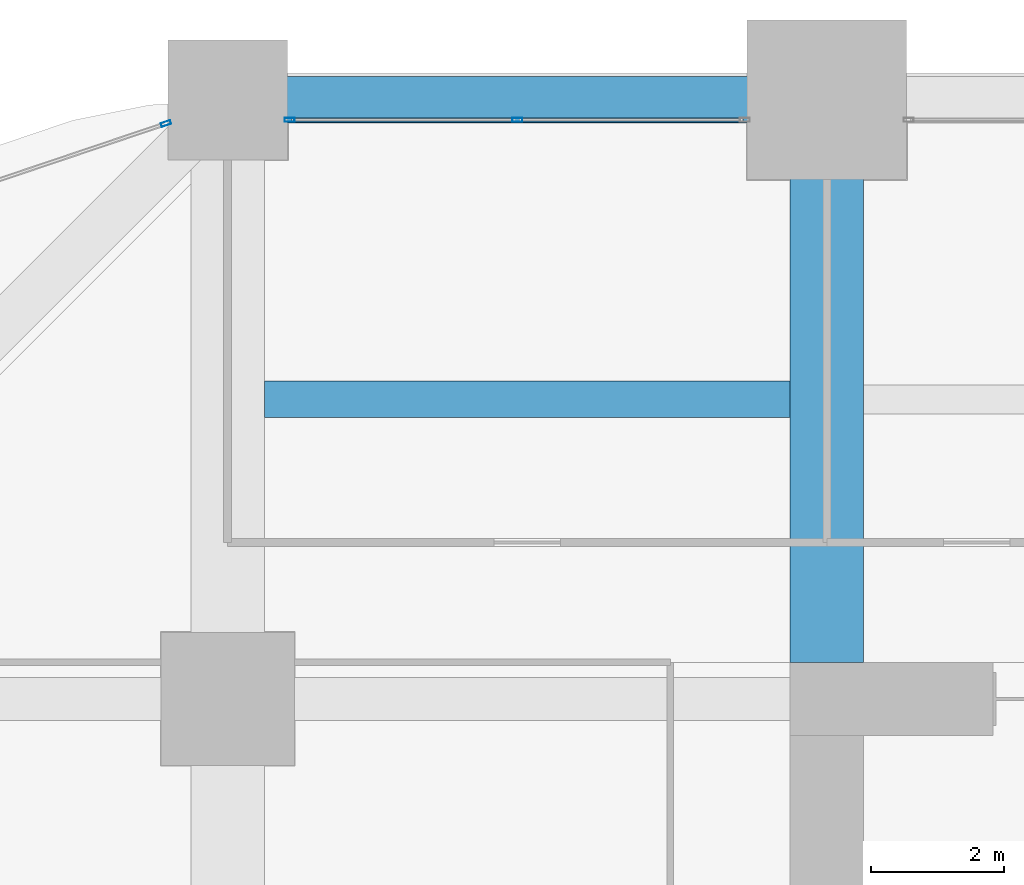
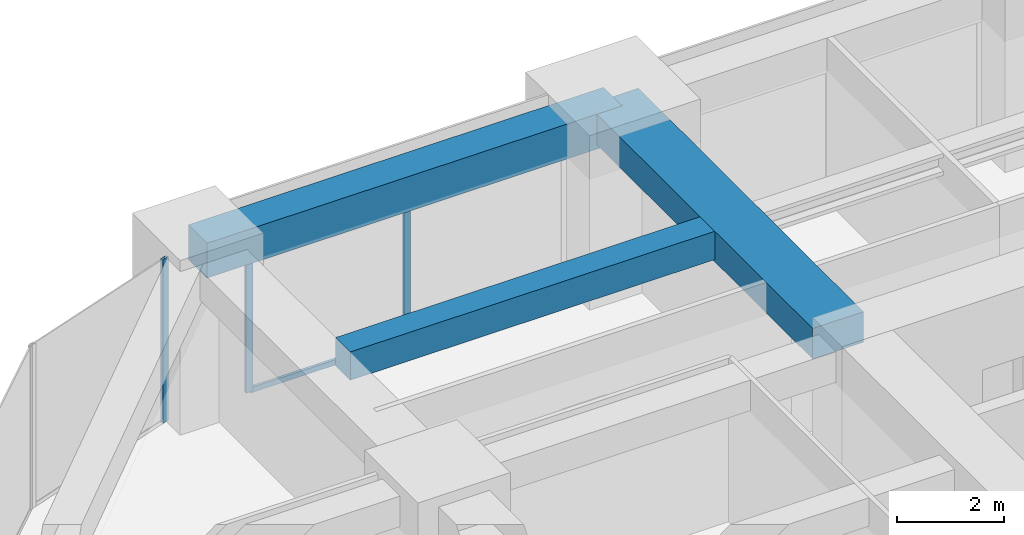
# One storey, part 27 of 41: 4 members, 3 beams, 2 elements without a shape of their own.
"""IFC4 building model written with IfcOpenShell, lengths in metres."""

from ifc_helpers import new_model, si_unit, direction, frame, origin, origin_2d, place, context, subcontext, project, spatial, rectangle, hollow_rectangle, extrude, material, material_profile, profile_set, type_object, element, aggregate, save


model = new_model("IFC4")

# Units and contexts
model_context = context("Model", 3, precision=1e-05, world=origin(), true_north=direction((0.0, 1.0)))
body_context = subcontext(model_context, "Body", "Model", "MODEL_VIEW")
ifc_project = project(units=[si_unit("LENGTHUNIT", "METRE"), si_unit("AREAUNIT", "SQUARE_METRE"), si_unit("VOLUMEUNIT", "CUBIC_METRE"), si_unit("PLANEANGLEUNIT", "RADIAN"), si_unit("MASSUNIT", "GRAM", prefix="KILO")], contexts=[model_context])

# Site, building, storey
site_placement = place(None, origin())
site = spatial("IfcSite", under=ifc_project, at=site_placement, CompositionType="ELEMENT")
building_placement = place(site_placement, origin())
building = spatial("IfcBuilding", under=site, at=building_placement, Name="Zorevar Civic Tower", CompositionType="ELEMENT")
storey_placement = place(building_placement, frame((0.0, 0.0, 97.0)))
storey = spatial("IfcBuildingStorey", under=building, at=storey_placement, Name="L23", CompositionType="ELEMENT", Elevation=97.0)

# Beams
ifc_material_1 = material(Name="Concrete C50/60", Category="concrete")
ifc_material_profile_1 = material_profile(ifc_material_1, rectangle(XDim=1.10009765625, YDim=0.699951171875, at=origin_2d()), Name="RC 1100x700")
ifc_profile_set_1 = profile_set([ifc_material_profile_1], Name="Concrete C50/60")
beam_type_1 = type_object("IfcBeamType", Name="Beam RC 1100x700", PredefinedType="BEAM", material=ifc_profile_set_1)
beam_1_placement = place(storey_placement, frame((18.0, 36.550048828125, 3.39990234375), z_axis=(0.0, 1.0, 0.0), x_axis=(-1.0, 0.0, 0.0)))
element("IfcBeam", 1, at=beam_1_placement, inside=storey, type_object=beam_type_1, Name="Girder L24", PredefinedType="BEAM", context=body_context, shape_type="SweptSolid", body=[
    extrude(rectangle(XDim=1.10009765625, YDim=0.699951171875, at=origin_2d()), origin(), (0.0, 0.0, 1.0), 8.449951171875),
])
ifc_material_2 = material(Name="Concrete C50/60", Category="concrete")
ifc_material_profile_2 = material_profile(ifc_material_2, rectangle(XDim=0.550048828125, YDim=0.64990234375, at=origin_2d()), Name="RC 550x650")
ifc_profile_set_2 = profile_set([ifc_material_profile_2], Name="Concrete C50/60")
beam_type_2 = type_object("IfcBeamType", Name="Beam RC 550x650", PredefinedType="BEAM", material=ifc_profile_set_2)
beam_2_placement = place(storey_placement, frame((9.550048828125, 40.5, 3.425048828125), z_axis=(1.0, 0.0, 0.0), x_axis=(0.0, 1.0, 0.0)))
element("IfcBeam", 2, at=beam_2_placement, inside=storey, type_object=beam_type_2, Name="Secondary beam L24", PredefinedType="BEAM", context=body_context, shape_type="SweptSolid", body=[
    extrude(rectangle(XDim=0.550048828125, YDim=0.64990234375, at=origin_2d()), origin(), (0.0, 0.0, 1.0), 7.89990234375),
])

# Curtain wall, members
ifc_material_3 = material(Name="Dark grey solar-control glass in black aluminium frame", Category="aluminium")
curtain_wall_type = type_object("IfcCurtainWallType", Name="Curtain wall CW3 mid zone", PredefinedType="NOTDEFINED", material=ifc_material_3)
curtain_wall_1_placement = place(storey_placement, origin())
curtain_wall_1 = element("IfcCurtainWall", 3, at=curtain_wall_1_placement, inside=storey, type_object=curtain_wall_type, Name="CW3 L23", PredefinedType="NOTDEFINED")
ifc_material_4 = material(Name="Aluminium, black anodised", Category="aluminium")
ifc_material_profile_3 = material_profile(ifc_material_4, hollow_rectangle(XDim=0.06005859375, YDim=0.14990234375, WallThickness=0.00390625, at=origin_2d()), Name="AL 150x60x4")
ifc_profile_set_3 = profile_set([ifc_material_profile_3], Name="Aluminium, black anodised")
member_type_1 = type_object("IfcMemberType", Name="CW3 mullion AL 150x60x4", PredefinedType="MULLION", material=ifc_profile_set_3)
member_1_placement = place(storey_placement, frame((9.929931640625, 44.699951171875, 0.0), z_axis=(0.0, 0.0, 1.0), x_axis=(0.0, 1.0, 0.0)))
member_1 = element("IfcMember", 4, at=member_1_placement, type_object=member_type_1, Name="CW3 mullion 1", PredefinedType="MULLION", context=body_context, shape_type="SweptSolid", body=[
    extrude(hollow_rectangle(XDim=0.06005859375, YDim=0.14990234375, WallThickness=0.00390625, at=origin_2d()), origin(), (0.0, 0.0, 1.0), 2.949951171875),
])
member_2_placement = place(storey_placement, frame((13.35009765625, 44.699951171875, 0.06005859375), z_axis=(0.0, 0.0, 1.0), x_axis=(0.0, 1.0, 0.0)))
member_2 = element("IfcMember", 5, at=member_2_placement, type_object=member_type_1, Name="CW3 mullion 2", PredefinedType="MULLION", context=body_context, shape_type="SweptSolid", body=[
    extrude(hollow_rectangle(XDim=0.06005859375, YDim=0.14990234375, WallThickness=0.00390625, at=origin_2d()), origin(), (0.0, 0.0, 1.0), 2.889892578125),
])

# Curtain wall, member
curtain_wall_2_placement = place(storey_placement, origin())
curtain_wall_2 = element("IfcCurtainWall", 6, at=curtain_wall_2_placement, inside=storey, type_object=curtain_wall_type, Name="CW3 L23", PredefinedType="NOTDEFINED")
member_3_placement = place(storey_placement, frame((8.071533203125, 44.643798828125, 0.0), z_axis=(0.0, 0.0, 1.0), x_axis=(0.319412525043, -0.947615765406, 0.0)))
member_3 = element("IfcMember", 7, at=member_3_placement, type_object=member_type_1, Name="CW3 mullion 1", PredefinedType="MULLION", context=body_context, shape_type="SweptSolid", body=[
    extrude(hollow_rectangle(XDim=0.06005859375, YDim=0.14990234375, WallThickness=0.00390625, at=origin_2d()), origin(), (0.0, 0.0, 1.0), 3.75),
])
aggregate(curtain_wall_2, [member_3])

# Member
ifc_material_5 = material(Name="Aluminium, black anodised", Category="aluminium")
ifc_material_profile_4 = material_profile(ifc_material_5, hollow_rectangle(XDim=0.06005859375, YDim=0.1201171875, WallThickness=0.0029296875, at=origin_2d()), Name="AL 120x60x3")
ifc_profile_set_4 = profile_set([ifc_material_profile_4], Name="Aluminium, black anodised")
member_type_2 = type_object("IfcMemberType", Name="CW3 transom AL 120x60x3", PredefinedType="USERDEFINED", material=ifc_profile_set_4)
member_4_placement = place(storey_placement, frame((9.9599609375, 44.699951171875, 0.030029296875), z_axis=(1.0, 0.0, 0.0), x_axis=(0.0, 1.0, 0.0)))
member_4 = element("IfcMember", 8, at=member_4_placement, type_object=member_type_2, Name="CW3 sill transom", ObjectType="TRANSOM", PredefinedType="USERDEFINED", context=body_context, shape_type="SweptSolid", body=[
    extrude(hollow_rectangle(XDim=0.06005859375, YDim=0.1201171875, WallThickness=0.0029296875, at=origin_2d()), origin(), (0.0, 0.0, 1.0), 6.780029296875),
])

aggregate(curtain_wall_1, [member_1, member_2, member_4])

# Beam
ifc_material_6 = material(Name="Concrete C50/60", Category="concrete")
ifc_material_profile_5 = material_profile(ifc_material_6, rectangle(XDim=0.699951171875, YDim=0.800048828125, at=origin_2d()), Name="RC 700x800")
ifc_profile_set_5 = profile_set([ifc_material_profile_5], Name="Concrete C50/60")
beam_type_3 = type_object("IfcBeamType", Name="Edge beam RC 700x800", PredefinedType="SPANDREL", material=ifc_profile_set_5)
beam_3_placement = place(storey_placement, frame((9.0, 45.0, 3.35009765625), z_axis=(1.0, 0.0, 0.0), x_axis=(0.0, 1.0, 0.0)))
element("IfcBeam", 9, at=beam_3_placement, inside=storey, type_object=beam_type_3, Name="Edge beam L24", PredefinedType="SPANDREL", context=body_context, shape_type="SweptSolid", body=[
    extrude(rectangle(XDim=0.699951171875, YDim=0.800048828125, at=origin_2d()), origin(), (0.0, 0.0, 1.0), 9.0),
])

save(model, "model.ifc")
